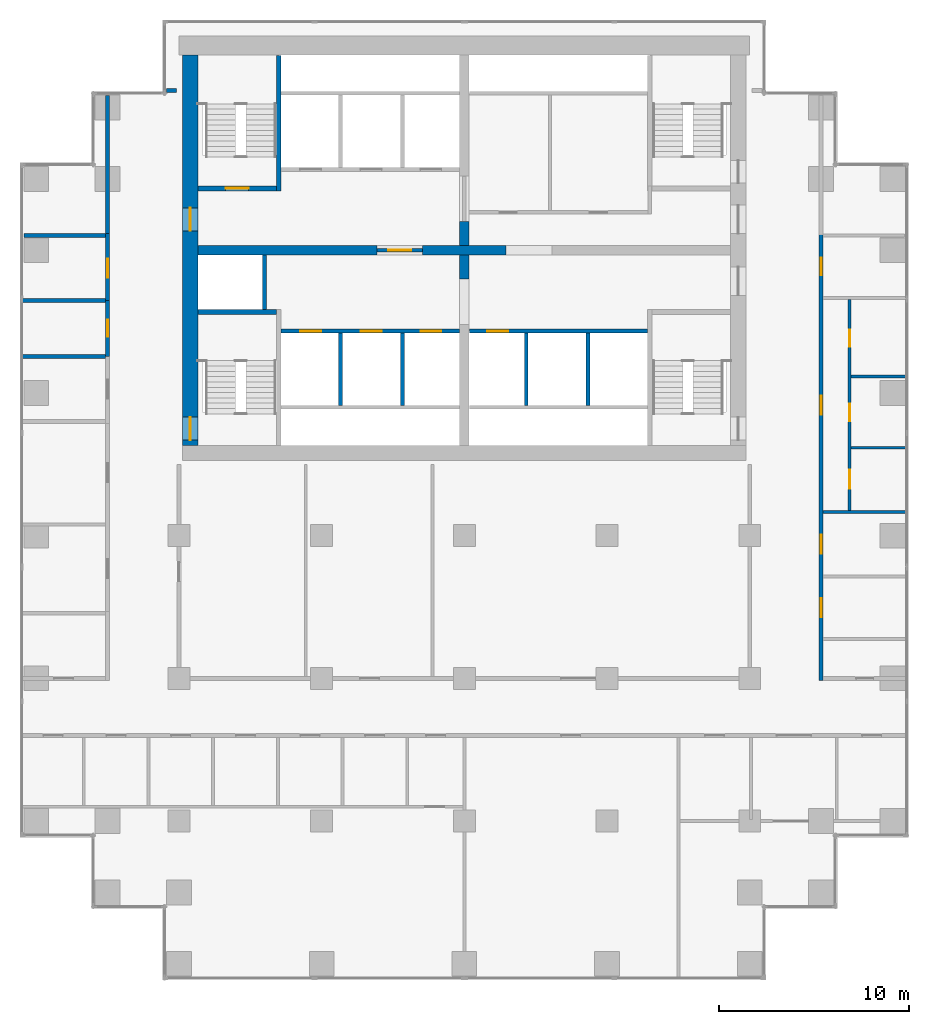
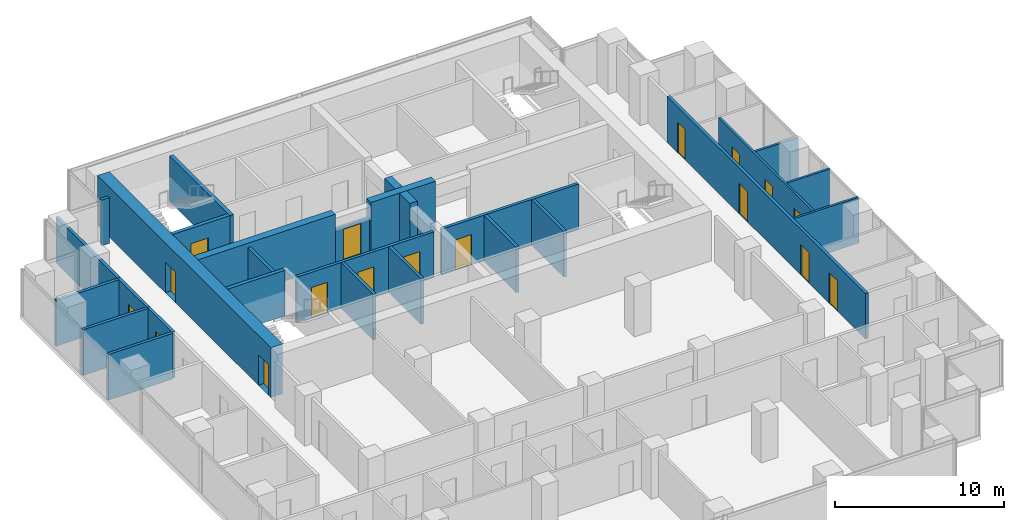
# One storey, part 8 of 11: 28 walls, 17 doors, 17 openings.
"""IFC4 building model written with IfcOpenShell, lengths in metres."""

from ifc_helpers import new_model, si_unit, direction, frame, frame_2d, origin, place, context, subcontext, project, spatial, rectangle, extrude, material, layer, layer_set, type_object, element, fill, save


model = new_model("IFC4")

# Units and contexts
model_context = context("Model", 3, precision=1e-05, world=origin(), true_north=direction((0.0, 1.0)))
body_context = subcontext(model_context, "Body", "Model", "MODEL_VIEW")
ifc_project = project(units=[si_unit("LENGTHUNIT", "METRE"), si_unit("AREAUNIT", "SQUARE_METRE"), si_unit("VOLUMEUNIT", "CUBIC_METRE"), si_unit("PLANEANGLEUNIT", "RADIAN"), si_unit("MASSUNIT", "GRAM", prefix="KILO")], contexts=[model_context])

# Site, building, storey
site_placement = place(None, origin())
site = spatial("IfcSite", under=ifc_project, at=site_placement, CompositionType="ELEMENT")
building_placement = place(site_placement, origin())
building = spatial("IfcBuilding", under=site, at=building_placement, Name="Pilkhan Gate Tower", CompositionType="ELEMENT")
storey_placement = place(building_placement, frame((0.0, 0.0, 121.60009765625)))
storey = spatial("IfcBuildingStorey", under=building, at=storey_placement, Name="L30", CompositionType="ELEMENT", Elevation=121.60009765625)

# Wall, openings, doors
ifc_material_1 = material(Name="Concrete C60/75", Category="concrete")
ifc_layer_1 = layer(ifc_material_1, 0.800048828125)
ifc_layer_set_1 = layer_set([ifc_layer_1], Name="Core wall CW800 C60/75")
wall_type_1 = type_object("IfcWallType", Name="Core wall CW800 C60/75", PredefinedType="SHEAR", material=ifc_layer_set_1)
wall_1_placement = place(storey_placement, frame((60.60009765625, 92.75, 0.0), z_axis=(0.0, 0.0, 1.0), x_axis=(0.0, -1.0, 0.0)))
wall_1 = element("IfcWall", 1, at=wall_1_placement, inside=storey, type_object=wall_type_1, Name="Core wall W L30", PredefinedType="SHEAR", context=body_context, shape_type="SweptSolid", body=[
    extrude(rectangle(XDim=20.5, YDim=0.800048828125, at=frame_2d((10.25, 0.0))), origin(), (0.0, 0.0, 1.0), 3.599853515625),
])
opening_1_placement = place(wall_1_placement, frame((19.02490234375, 0.0, 0.0)))
opening_1 = element("IfcOpeningElement", 2, at=opening_1_placement, cuts=wall_1, Name="Opening L30-04", PredefinedType="OPENING", context=body_context, shape_type="SweptSolid", body=[
    extrude(rectangle(XDim=1.199951171875, YDim=2.199951171875, at=frame_2d((0.60009765625, 1.10009765625))), frame((0.0, 0.409912109375, 0.0), z_axis=(0.0, -1.0, 0.0), x_axis=(1.0, 0.0, 0.0)), (0.0, 0.0, 1.0), 0.820068359375),
])
opening_2_placement = place(wall_1_placement, frame((8.02490234375, 0.0, 0.0)))
opening_2 = element("IfcOpeningElement", 3, at=opening_2_placement, cuts=wall_1, Name="Opening L30-14", PredefinedType="OPENING", context=body_context, shape_type="SweptSolid", body=[
    extrude(rectangle(XDim=1.199951171875, YDim=2.199951171875, at=frame_2d((0.60009765625, 1.10009765625))), frame((0.0, 0.409912109375, 0.0), z_axis=(0.0, -1.0, 0.0), x_axis=(1.0, 0.0, 0.0)), (0.0, 0.0, 1.0), 0.820068359375),
])
ifc_material_2 = material(Name="Steel door, 120 minute fire resisting, self-closing", Category="steel")
door_type_1 = type_object("IfcDoorType", Name="Firefighting lobby door D10 1200x2200", OperationType="SINGLE_SWING_LEFT", PredefinedType="DOOR", material=ifc_material_2)
door_1_placement = place(opening_2_placement, origin())
door_1 = element("IfcDoor", 4, at=door_1_placement, inside=storey, type_object=door_type_1, Name="Core door", OperationType="SINGLE_SWING_RIGHT", OverallHeight=2.199951171875, OverallWidth=1.199951171875, PredefinedType="DOOR", context=body_context, shape_type="SweptSolid", body=[
    extrude(rectangle(XDim=1.199951171875, YDim=2.199951171875, at=frame_2d((0.60009765625, 1.10009765625))), frame((0.0, 0.02490234375, 0.0), z_axis=(0.0, -1.0, 0.0), x_axis=(1.0, 0.0, 0.0)), (0.0, 0.0, 1.0), 0.050048828125),
])
fill(opening_2, door_1)
ifc_material_3 = material(Name="Steel door, 120 minute fire resisting, panic bar", Category="steel")
door_type_2 = type_object("IfcDoorType", Name="Stair door D11 1200x2200", OperationType="SINGLE_SWING_LEFT", PredefinedType="DOOR", material=ifc_material_3)
door_2_placement = place(opening_1_placement, origin())
door_2 = element("IfcDoor", 5, at=door_2_placement, inside=storey, type_object=door_type_2, Name="Stair ST2 door", OperationType="SINGLE_SWING_RIGHT", OverallHeight=2.199951171875, OverallWidth=1.199951171875, PredefinedType="DOOR", context=body_context, shape_type="SweptSolid", body=[
    extrude(rectangle(XDim=1.199951171875, YDim=2.199951171875, at=frame_2d((0.60009765625, 1.10009765625))), frame((0.0, 0.02490234375, 0.0), z_axis=(0.0, -1.0, 0.0), x_axis=(1.0, 0.0, 0.0)), (0.0, 0.0, 1.0), 0.050048828125),
])
fill(opening_1, door_2)

# Wall
ifc_material_4 = material(Name="Dense blockwork", Category="masonry")
ifc_layer_2 = layer(ifc_material_4, 0.199951171875)
ifc_layer_set_2 = layer_set([ifc_layer_2], Name="Corridor wall FW200")
wall_type_2 = type_object("IfcWallType", Name="Corridor wall FW200", PredefinedType="PARTITIONING", material=ifc_layer_set_2)
wall_2_placement = place(storey_placement, frame((59.35498046875, 90.89990234375, 0.0), z_axis=(0.0, 0.0, 1.0), x_axis=(1.0, 0.0, 0.0)))
element("IfcWall", 6, at=wall_2_placement, inside=storey, type_object=wall_type_2, Name="Partition L30", PredefinedType="PARTITIONING", context=body_context, shape_type="SweptSolid", body=[
    extrude(rectangle(XDim=0.52490234375, YDim=0.199951171875, at=frame_2d((0.262451171875, 0.0))), origin(), (0.0, 0.0, 1.0), 3.2998046875),
])

# Wall, opening, door
wall_3_placement = place(storey_placement, frame((56.25, 76.910888671875, 0.0), z_axis=(0.0, 0.0, 1.0), x_axis=(0.0, 1.0, 0.0)))
wall_3 = element("IfcWall", 7, at=wall_3_placement, inside=storey, type_object=wall_type_2, Name="Partition L30", PredefinedType="PARTITIONING", context=body_context, shape_type="SweptSolid", body=[
    extrude(rectangle(XDim=2.951171875, YDim=0.199951171875, at=frame_2d((1.4755859375, 0.0))), origin(), (0.0, 0.0, 1.0), 3.2998046875),
])
opening_3_placement = place(wall_3_placement, frame((1.050048828125, 0.0, 0.0)))
opening_3 = element("IfcOpeningElement", 8, at=opening_3_placement, cuts=wall_3, Name="Opening L30-31", PredefinedType="OPENING", context=body_context, shape_type="SweptSolid", body=[
    extrude(rectangle(XDim=0.89990234375, YDim=2.199951171875, at=frame_2d((0.449951171875, 1.10009765625))), frame((0.0, 0.10986328125, 0.0), z_axis=(0.0, -1.0, 0.0), x_axis=(1.0, 0.0, 0.0)), (0.0, 0.0, 1.0), 0.219970703125),
])
ifc_material_5 = material(Name="Timber flush door, 60 minute fire resisting, self-closing", Category="wood")
door_type_3 = type_object("IfcDoorType", Name="Store door D05 900x2200", OperationType="SINGLE_SWING_LEFT", PredefinedType="DOOR", material=ifc_material_5)
door_3_placement = place(opening_3_placement, origin())
door_3 = element("IfcDoor", 9, at=door_3_placement, inside=storey, type_object=door_type_3, Name="Store door", OperationType="SINGLE_SWING_RIGHT", OverallHeight=2.199951171875, OverallWidth=0.89990234375, PredefinedType="DOOR", context=body_context, shape_type="SweptSolid", body=[
    extrude(rectangle(XDim=0.89990234375, YDim=2.199951171875, at=frame_2d((0.449951171875, 1.10009765625))), frame((0.0, 0.02490234375, 0.0), z_axis=(0.0, -1.0, 0.0), x_axis=(1.0, 0.0, 0.0)), (0.0, 0.0, 1.0), 0.050048828125),
])
fill(opening_3, door_3)

# Wall
wall_4_placement = place(storey_placement, frame((56.25, 83.31005859375, 0.0), z_axis=(0.0, 0.0, 1.0), x_axis=(0.0, 1.0, 0.0)))
element("IfcWall", 10, at=wall_4_placement, inside=storey, type_object=wall_type_2, Name="Partition L30", PredefinedType="PARTITIONING", context=body_context, shape_type="SweptSolid", body=[
    extrude(rectangle(XDim=7.3349609375, YDim=0.199951171875, at=frame_2d((3.66748046875, 0.0))), origin(), (0.0, 0.0, 1.0), 3.2998046875),
])

# Wall, openings, doors
wall_5_placement = place(storey_placement, frame((93.75, 59.89990234375, 0.0), z_axis=(0.0, 0.0, 1.0), x_axis=(0.0, 1.0, 0.0)))
wall_5 = element("IfcWall", 11, at=wall_5_placement, inside=storey, type_object=wall_type_2, Name="Partition L30", PredefinedType="PARTITIONING", context=body_context, shape_type="SweptSolid", body=[
    extrude(rectangle(XDim=23.455078125, YDim=0.199951171875, at=frame_2d((11.7275390625, 0.0))), origin(), (0.0, 0.0, 1.0), 3.2998046875),
])
opening_4_placement = place(wall_5_placement, frame((13.949951171875, 0.0, 0.0)))
opening_4 = element("IfcOpeningElement", 12, at=opening_4_placement, cuts=wall_5, Name="Opening L30-11", PredefinedType="OPENING", context=body_context, shape_type="SweptSolid", body=[
    extrude(rectangle(XDim=1.0, YDim=2.199951171875, at=frame_2d((0.5, 1.10009765625))), frame((0.0, 0.10986328125, 0.0), z_axis=(0.0, -1.0, 0.0), x_axis=(1.0, 0.0, 0.0)), (0.0, 0.0, 1.0), 0.219970703125),
])
opening_5_placement = place(wall_5_placement, frame((6.64599609375, 0.0, 0.0)))
opening_5 = element("IfcOpeningElement", 13, at=opening_5_placement, cuts=wall_5, Name="Opening L30-12", PredefinedType="OPENING", context=body_context, shape_type="SweptSolid", body=[
    extrude(rectangle(XDim=1.0, YDim=2.199951171875, at=frame_2d((0.5, 1.10009765625))), frame((0.0, 0.10986328125, 0.0), z_axis=(0.0, -1.0, 0.0), x_axis=(1.0, 0.0, 0.0)), (0.0, 0.0, 1.0), 0.219970703125),
])
opening_6_placement = place(wall_5_placement, frame((3.318115234375, 0.0, 0.0)))
opening_6 = element("IfcOpeningElement", 14, at=opening_6_placement, cuts=wall_5, Name="Opening L30-36", PredefinedType="OPENING", context=body_context, shape_type="SweptSolid", body=[
    extrude(rectangle(XDim=1.0, YDim=2.199951171875, at=frame_2d((0.5, 1.10009765625))), frame((0.0, 0.10986328125, 0.0), z_axis=(0.0, -1.0, 0.0), x_axis=(1.0, 0.0, 0.0)), (0.0, 0.0, 1.0), 0.219970703125),
])
opening_7_placement = place(wall_5_placement, frame((21.300048828125, 0.0, 0.0)))
opening_7 = element("IfcOpeningElement", 15, at=opening_7_placement, cuts=wall_5, Name="Opening L30-37", PredefinedType="OPENING", context=body_context, shape_type="SweptSolid", body=[
    extrude(rectangle(XDim=0.89990234375, YDim=2.199951171875, at=frame_2d((0.449951171875, 1.10009765625))), frame((0.0, 0.10986328125, 0.0), z_axis=(0.0, -1.0, 0.0), x_axis=(1.0, 0.0, 0.0)), (0.0, 0.0, 1.0), 0.219970703125),
])
ifc_material_6 = material(Name="Timber flush door, 30 minute fire resisting", Category="wood")
door_type_4 = type_object("IfcDoorType", Name="Room door D03 1000x2200", OperationType="SINGLE_SWING_LEFT", PredefinedType="DOOR", material=ifc_material_6)
door_4_placement = place(opening_4_placement, origin())
door_4 = element("IfcDoor", 16, at=door_4_placement, inside=storey, type_object=door_type_4, Name="Toilet lobby door", OperationType="SINGLE_SWING_RIGHT", OverallHeight=2.199951171875, OverallWidth=1.0, PredefinedType="DOOR", context=body_context, shape_type="SweptSolid", body=[
    extrude(rectangle(XDim=1.0, YDim=2.199951171875, at=frame_2d((0.5, 1.10009765625))), frame((0.0, 0.02490234375, 0.0), z_axis=(0.0, -1.0, 0.0), x_axis=(1.0, 0.0, 0.0)), (0.0, 0.0, 1.0), 0.050048828125),
])
fill(opening_4, door_4)
door_5_placement = place(opening_5_placement, origin())
door_5 = element("IfcDoor", 17, at=door_5_placement, inside=storey, type_object=door_type_4, Name="Room door", OperationType="SINGLE_SWING_LEFT", OverallHeight=2.199951171875, OverallWidth=1.0, PredefinedType="DOOR", context=body_context, shape_type="SweptSolid", body=[
    extrude(rectangle(XDim=1.0, YDim=2.199951171875, at=frame_2d((0.5, 1.10009765625))), frame((0.0, 0.02490234375, 0.0), z_axis=(0.0, -1.0, 0.0), x_axis=(1.0, 0.0, 0.0)), (0.0, 0.0, 1.0), 0.050048828125),
])
fill(opening_5, door_5)
door_6_placement = place(opening_6_placement, origin())
door_6 = element("IfcDoor", 18, at=door_6_placement, inside=storey, type_object=door_type_4, Name="Room door", OperationType="SINGLE_SWING_RIGHT", OverallHeight=2.199951171875, OverallWidth=1.0, PredefinedType="DOOR", context=body_context, shape_type="SweptSolid", body=[
    extrude(rectangle(XDim=1.0, YDim=2.199951171875, at=frame_2d((0.5, 1.10009765625))), frame((0.0, 0.02490234375, 0.0), z_axis=(0.0, -1.0, 0.0), x_axis=(1.0, 0.0, 0.0)), (0.0, 0.0, 1.0), 0.050048828125),
])
fill(opening_6, door_6)
door_7_placement = place(opening_7_placement, origin())
door_7 = element("IfcDoor", 19, at=door_7_placement, inside=storey, type_object=door_type_3, Name="Store door", OperationType="SINGLE_SWING_LEFT", OverallHeight=2.199951171875, OverallWidth=0.89990234375, PredefinedType="DOOR", context=body_context, shape_type="SweptSolid", body=[
    extrude(rectangle(XDim=0.89990234375, YDim=2.199951171875, at=frame_2d((0.449951171875, 1.10009765625))), frame((0.0, 0.02490234375, 0.0), z_axis=(0.0, -1.0, 0.0), x_axis=(1.0, 0.0, 0.0)), (0.0, 0.0, 1.0), 0.050048828125),
])
fill(opening_7, door_7)

# Walls
ifc_layer_3 = layer(ifc_material_4, 0.199951171875)
ifc_layer_set_3 = layer_set([ifc_layer_3], Name="Lobby wall LW200")
wall_type_3 = type_object("IfcWallType", Name="Lobby wall LW200", PredefinedType="PARTITIONING", material=ifc_layer_set_3)
for number, where, z_axis, x_axis, name in (
    (20, (51.735107421875, 76.910888671875, 0.0), (0.0, 0.0, 1.0), (1.0, 0.0, 0.0), "Partition L30"),
    (21, (51.735107421875, 79.862060546875, 0.0), (0.0, 0.0, 1.0), (1.0, 0.0, 0.0), "Partition L30"),
):
    element("IfcWall", number, at=place(storey_placement, frame(where, z_axis=z_axis, x_axis=x_axis)), inside=storey, type_object=wall_type_3, Name=name, PredefinedType="PARTITIONING", context=body_context, shape_type="SweptSolid", body=[
        extrude(rectangle(XDim=4.414794921875, YDim=0.199951171875, at=frame_2d((2.20751953125, 0.0))), origin(), (0.0, 0.0, 1.0), 3.2998046875),
    ])

# Wall, opening, door
wall_6_placement = place(storey_placement, frame((70.409912109375, 82.5, 0.0), z_axis=(0.0, 0.0, 1.0), x_axis=(1.0, 0.0, 0.0)))
wall_6 = element("IfcWall", 22, at=wall_6_placement, inside=storey, type_object=wall_type_3, Name="Partition L30", PredefinedType="PARTITIONING", context=body_context, shape_type="SweptSolid", body=[
    extrude(rectangle(XDim=2.380126953125, YDim=0.199951171875, at=frame_2d((1.18994140625, 0.0))), origin(), (0.0, 0.0, 1.0), 2.39990234375),
])
opening_8_placement = place(wall_6_placement, frame((0.60009765625, 0.0, 0.0)))
opening_8 = element("IfcOpeningElement", 23, at=opening_8_placement, cuts=wall_6, Name="Opening L30-01", PredefinedType="OPENING", context=body_context, shape_type="SweptSolid", body=[
    extrude(rectangle(XDim=1.199951171875, YDim=2.199951171875, at=frame_2d((0.60009765625, 1.10009765625))), frame((0.0, 0.10986328125, 0.0), z_axis=(0.0, -1.0, 0.0), x_axis=(1.0, 0.0, 0.0)), (0.0, 0.0, 1.0), 0.219970703125),
])
door_8_placement = place(opening_8_placement, origin())
door_8 = element("IfcDoor", 24, at=door_8_placement, inside=storey, type_object=door_type_1, Name="Firefighting lobby door", OperationType="SINGLE_SWING_LEFT", OverallHeight=2.199951171875, OverallWidth=1.199951171875, PredefinedType="DOOR", context=body_context, shape_type="SweptSolid", body=[
    extrude(rectangle(XDim=1.199951171875, YDim=2.199951171875, at=frame_2d((0.60009765625, 1.10009765625))), frame((0.0, 0.02490234375, 0.0), z_axis=(0.0, -1.0, 0.0), x_axis=(1.0, 0.0, 0.0)), (0.0, 0.0, 1.0), 0.050048828125),
])
fill(opening_8, door_8)

# Wall
wall_7_placement = place(storey_placement, frame((51.85498046875, 83.280029296875, 0.0), z_axis=(0.0, 0.0, 1.0), x_axis=(1.0, 0.0, 0.0)))
element("IfcWall", 25, at=wall_7_placement, inside=storey, type_object=wall_type_3, Name="Partition L30", PredefinedType="PARTITIONING", context=body_context, shape_type="SweptSolid", body=[
    extrude(rectangle(XDim=4.294921875, YDim=0.199951171875, at=frame_2d((2.1474609375, 0.0))), origin(), (0.0, 0.0, 1.0), 3.2998046875),
])

# Wall, opening, door
wall_8_placement = place(storey_placement, frame((56.25, 79.761962890625, 0.0), z_axis=(0.0, 0.0, 1.0), x_axis=(0.0, 1.0, 0.0)))
wall_8 = element("IfcWall", 26, at=wall_8_placement, inside=storey, type_object=wall_type_3, Name="Partition L30", PredefinedType="PARTITIONING", context=body_context, shape_type="SweptSolid", body=[
    extrude(rectangle(XDim=3.617919921875, YDim=0.199951171875, at=frame_2d((1.80908203125, 0.0))), origin(), (0.0, 0.0, 1.0), 3.2998046875),
])
opening_9_placement = place(wall_8_placement, frame((1.300048828125, 0.0, 0.0)))
opening_9 = element("IfcOpeningElement", 27, at=opening_9_placement, cuts=wall_8, Name="Opening L30-10", PredefinedType="OPENING", context=body_context, shape_type="SweptSolid", body=[
    extrude(rectangle(XDim=1.0, YDim=2.199951171875, at=frame_2d((0.5, 1.10009765625))), frame((0.0, 0.10986328125, 0.0), z_axis=(0.0, -1.0, 0.0), x_axis=(1.0, 0.0, 0.0)), (0.0, 0.0, 1.0), 0.219970703125),
])
door_9_placement = place(opening_9_placement, origin())
door_9 = element("IfcDoor", 28, at=door_9_placement, inside=storey, type_object=door_type_4, Name="Room door", OperationType="SINGLE_SWING_LEFT", OverallHeight=2.199951171875, OverallWidth=1.0, PredefinedType="DOOR", context=body_context, shape_type="SweptSolid", body=[
    extrude(rectangle(XDim=1.0, YDim=2.199951171875, at=frame_2d((0.5, 1.10009765625))), frame((0.0, 0.02490234375, 0.0), z_axis=(0.0, -1.0, 0.0), x_axis=(1.0, 0.0, 0.0)), (0.0, 0.0, 1.0), 0.050048828125),
])
fill(opening_9, door_9)

# Walls
ifc_material_7 = material(Name="Blockwork partition, plastered both sides", Category="masonry")
ifc_layer_4 = layer(ifc_material_7, 0.14990234375)
ifc_layer_set_4 = layer_set([ifc_layer_4], Name="Partition PW150")
wall_type_4 = type_object("IfcWallType", Name="Partition PW150", PredefinedType="PARTITIONING", material=ifc_layer_set_4)
wall_9_placement = place(storey_placement, frame((93.85009765625, 68.75, 0.0), z_axis=(0.0, 0.0, 1.0), x_axis=(1.0, 0.0, 0.0)))
element("IfcWall", 29, at=wall_9_placement, inside=storey, type_object=wall_type_4, Name="Partition L30", PredefinedType="PARTITIONING", context=body_context, shape_type="SweptSolid", body=[
    extrude(rectangle(XDim=4.414794921875, YDim=0.14990234375, at=frame_2d((2.20751953125, 0.0))), origin(), (0.0, 0.0, 1.0), 3.2998046875),
])
for number, where, z_axis, x_axis, name in (
    (30, (95.324951171875, 72.125, 0.0), (0.0, 0.0, 1.0), (1.0, 0.0, 0.0), "Partition L30"),
    (31, (95.324951171875, 75.875, 0.0), (0.0, 0.0, 1.0), (1.0, 0.0, 0.0), "Partition L30"),
):
    element("IfcWall", number, at=place(storey_placement, frame(where, z_axis=z_axis, x_axis=x_axis)), inside=storey, type_object=wall_type_4, Name=name, PredefinedType="PARTITIONING", context=body_context, shape_type="SweptSolid", body=[
        extrude(rectangle(XDim=2.93994140625, YDim=0.14990234375, at=frame_2d((1.469970703125, 0.0))), origin(), (0.0, 0.0, 1.0), 3.2998046875),
    ])

# Wall, openings, doors
wall_10_placement = place(storey_placement, frame((95.25, 68.824951171875, 0.0), z_axis=(0.0, 0.0, 1.0), x_axis=(0.0, 1.0, 0.0)))
wall_10 = element("IfcWall", 32, at=wall_10_placement, inside=storey, type_object=wall_type_4, Name="Partition L30", PredefinedType="PARTITIONING", context=body_context, shape_type="SweptSolid", body=[
    extrude(rectangle(XDim=11.10009765625, YDim=0.14990234375, at=frame_2d((5.550048828125, 0.0))), origin(), (0.0, 0.0, 1.0), 3.2998046875),
])
opening_10_placement = place(wall_10_placement, frame((1.14990234375, 0.0, 0.0)))
opening_10 = element("IfcOpeningElement", 33, at=opening_10_placement, cuts=wall_10, Name="Opening L30-32", PredefinedType="OPENING", context=body_context, shape_type="SweptSolid", body=[
    extrude(rectangle(XDim=1.0, YDim=2.199951171875, at=frame_2d((0.5, 1.10009765625))), frame((0.0, 0.0849609375, 0.0), z_axis=(0.0, -1.0, 0.0), x_axis=(1.0, 0.0, 0.0)), (0.0, 0.0, 1.0), 0.169921875),
])
opening_11_placement = place(wall_10_placement, frame((4.699951171875, 0.0, 0.0)))
opening_11 = element("IfcOpeningElement", 34, at=opening_11_placement, cuts=wall_10, Name="Opening L30-33", PredefinedType="OPENING", context=body_context, shape_type="SweptSolid", body=[
    extrude(rectangle(XDim=0.89990234375, YDim=2.199951171875, at=frame_2d((0.449951171875, 1.10009765625))), frame((0.0, 0.0849609375, 0.0), z_axis=(0.0, -1.0, 0.0), x_axis=(1.0, 0.0, 0.0)), (0.0, 0.0, 1.0), 0.169921875),
])
opening_12_placement = place(wall_10_placement, frame((8.60009765625, 0.0, 0.0)))
opening_12 = element("IfcOpeningElement", 35, at=opening_12_placement, cuts=wall_10, Name="Opening L30-34", PredefinedType="OPENING", context=body_context, shape_type="SweptSolid", body=[
    extrude(rectangle(XDim=0.89990234375, YDim=2.199951171875, at=frame_2d((0.449951171875, 1.10009765625))), frame((0.0, 0.0849609375, 0.0), z_axis=(0.0, -1.0, 0.0), x_axis=(1.0, 0.0, 0.0)), (0.0, 0.0, 1.0), 0.169921875),
])
ifc_material_8 = material(Name="Timber flush door, outward opening, 30 minute fire resisting", Category="wood")
door_type_5 = type_object("IfcDoorType", Name="Accessible toilet door D07 1000x2200", OperationType="SINGLE_SWING_LEFT", PredefinedType="DOOR", material=ifc_material_8)
door_10_placement = place(opening_10_placement, origin())
door_10 = element("IfcDoor", 36, at=door_10_placement, inside=storey, type_object=door_type_5, Name="Accessible toilet door", OperationType="SINGLE_SWING_RIGHT", OverallHeight=2.199951171875, OverallWidth=1.0, PredefinedType="DOOR", context=body_context, shape_type="SweptSolid", body=[
    extrude(rectangle(XDim=1.0, YDim=2.199951171875, at=frame_2d((0.5, 1.10009765625))), frame((0.0, 0.02490234375, 0.0), z_axis=(0.0, -1.0, 0.0), x_axis=(1.0, 0.0, 0.0)), (0.0, 0.0, 1.0), 0.050048828125),
])
fill(opening_10, door_10)
door_type_6 = type_object("IfcDoorType", Name="Toilet door D06 900x2200", OperationType="SINGLE_SWING_LEFT", PredefinedType="DOOR", material=ifc_material_6)
door_11_placement = place(opening_11_placement, origin())
door_11 = element("IfcDoor", 37, at=door_11_placement, inside=storey, type_object=door_type_6, Name="Toilet door", OperationType="SINGLE_SWING_LEFT", OverallHeight=2.199951171875, OverallWidth=0.89990234375, PredefinedType="DOOR", context=body_context, shape_type="SweptSolid", body=[
    extrude(rectangle(XDim=0.89990234375, YDim=2.199951171875, at=frame_2d((0.449951171875, 1.10009765625))), frame((0.0, 0.02490234375, 0.0), z_axis=(0.0, -1.0, 0.0), x_axis=(1.0, 0.0, 0.0)), (0.0, 0.0, 1.0), 0.050048828125),
])
fill(opening_11, door_11)
door_12_placement = place(opening_12_placement, origin())
door_12 = element("IfcDoor", 38, at=door_12_placement, inside=storey, type_object=door_type_6, Name="Toilet door", OperationType="SINGLE_SWING_LEFT", OverallHeight=2.199951171875, OverallWidth=0.89990234375, PredefinedType="DOOR", context=body_context, shape_type="SweptSolid", body=[
    extrude(rectangle(XDim=0.89990234375, YDim=2.199951171875, at=frame_2d((0.449951171875, 1.10009765625))), frame((0.0, 0.02490234375, 0.0), z_axis=(0.0, -1.0, 0.0), x_axis=(1.0, 0.0, 0.0)), (0.0, 0.0, 1.0), 0.050048828125),
])
fill(opening_12, door_12)

ifc_material_9 = material(Name="Reinforced blockwork shaft wall, 120 minute fire resisting", Category="masonry")
ifc_layer_5 = layer(ifc_material_9, 0.199951171875)
ifc_layer_set_5 = layer_set([ifc_layer_5], Name="Shaft wall SW200")
wall_type_5 = type_object("IfcWallType", Name="Shaft wall SW200", PredefinedType="PARTITIONING", material=ifc_layer_set_5)
wall_11_placement = place(storey_placement, frame((65.375, 78.25, 0.0), z_axis=(0.0, 0.0, 1.0), x_axis=(1.0, 0.0, 0.0)))
wall_11 = element("IfcWall", 39, at=wall_11_placement, inside=storey, type_object=wall_type_5, Name="Partition L30", PredefinedType="PARTITIONING", context=body_context, shape_type="SweptSolid", body=[
    extrude(rectangle(XDim=9.364990234375, YDim=0.199951171875, at=frame_2d((4.6826171875, 0.0))), origin(), (0.0, 0.0, 1.0), 3.2998046875),
])
opening_13_placement = place(wall_11_placement, frame((1.0, 0.0, 0.0)))
opening_13 = element("IfcOpeningElement", 40, at=opening_13_placement, cuts=wall_11, Name="Opening LD", PredefinedType="OPENING", context=body_context, shape_type="SweptSolid", body=[
    extrude(rectangle(XDim=1.10009765625, YDim=2.199951171875, at=frame_2d((0.550048828125, 1.10009765625))), frame((0.0, 0.10986328125, 0.0), z_axis=(0.0, -1.0, 0.0), x_axis=(1.0, 0.0, 0.0)), (0.0, 0.0, 1.0), 0.219970703125),
])
opening_14_placement = place(wall_11_placement, frame((4.175048828125, 0.0, 0.0)))
opening_14 = element("IfcOpeningElement", 41, at=opening_14_placement, cuts=wall_11, Name="Opening LD", PredefinedType="OPENING", context=body_context, shape_type="SweptSolid", body=[
    extrude(rectangle(XDim=1.10009765625, YDim=2.199951171875, at=frame_2d((0.550048828125, 1.10009765625))), frame((0.0, 0.10986328125, 0.0), z_axis=(0.0, -1.0, 0.0), x_axis=(1.0, 0.0, 0.0)), (0.0, 0.0, 1.0), 0.219970703125),
])
opening_15_placement = place(wall_11_placement, frame((7.324951171875, 0.0, 0.0)))
opening_15 = element("IfcOpeningElement", 42, at=opening_15_placement, cuts=wall_11, Name="Opening LD", PredefinedType="OPENING", context=body_context, shape_type="SweptSolid", body=[
    extrude(rectangle(XDim=1.10009765625, YDim=2.199951171875, at=frame_2d((0.550048828125, 1.10009765625))), frame((0.0, 0.10986328125, 0.0), z_axis=(0.0, -1.0, 0.0), x_axis=(1.0, 0.0, 0.0)), (0.0, 0.0, 1.0), 0.219970703125),
])
ifc_material_10 = material(Name="Stainless steel centre-opening landing door, 120 minute fire resisting", Category="steel")
door_type_7 = type_object("IfcDoorType", Name="Lift landing door LD 1100x2200", OperationType="DOUBLE_DOOR_SLIDING", PredefinedType="DOOR", material=ifc_material_10)
door_13_placement = place(opening_13_placement, origin())
door_13 = element("IfcDoor", 43, at=door_13_placement, inside=storey, type_object=door_type_7, Name="Landing door LR1", OperationType="DOUBLE_DOOR_SLIDING", OverallHeight=2.199951171875, OverallWidth=1.10009765625, PredefinedType="DOOR", context=body_context, shape_type="SweptSolid", body=[
    extrude(rectangle(XDim=1.10009765625, YDim=2.199951171875, at=frame_2d((0.550048828125, 1.10009765625))), frame((0.0, 0.02490234375, 0.0), z_axis=(0.0, -1.0, 0.0), x_axis=(1.0, 0.0, 0.0)), (0.0, 0.0, 1.0), 0.050048828125),
])
fill(opening_13, door_13)
door_14_placement = place(opening_14_placement, origin())
door_14 = element("IfcDoor", 44, at=door_14_placement, inside=storey, type_object=door_type_7, Name="Landing door LR2", OperationType="DOUBLE_DOOR_SLIDING", OverallHeight=2.199951171875, OverallWidth=1.10009765625, PredefinedType="DOOR", context=body_context, shape_type="SweptSolid", body=[
    extrude(rectangle(XDim=1.10009765625, YDim=2.199951171875, at=frame_2d((0.550048828125, 1.10009765625))), frame((0.0, 0.02490234375, 0.0), z_axis=(0.0, -1.0, 0.0), x_axis=(1.0, 0.0, 0.0)), (0.0, 0.0, 1.0), 0.050048828125),
])
fill(opening_14, door_14)
door_15_placement = place(opening_15_placement, origin())
door_15 = element("IfcDoor", 45, at=door_15_placement, inside=storey, type_object=door_type_7, Name="Landing door LR3", OperationType="DOUBLE_DOOR_SLIDING", OverallHeight=2.199951171875, OverallWidth=1.10009765625, PredefinedType="DOOR", context=body_context, shape_type="SweptSolid", body=[
    extrude(rectangle(XDim=1.10009765625, YDim=2.199951171875, at=frame_2d((0.550048828125, 1.10009765625))), frame((0.0, 0.02490234375, 0.0), z_axis=(0.0, -1.0, 0.0), x_axis=(1.0, 0.0, 0.0)), (0.0, 0.0, 1.0), 0.050048828125),
])
fill(opening_15, door_15)

# Wall, opening, door
wall_12_placement = place(storey_placement, frame((75.260009765625, 78.25, 0.0), z_axis=(0.0, 0.0, 1.0), x_axis=(1.0, 0.0, 0.0)))
wall_12 = element("IfcWall", 46, at=wall_12_placement, inside=storey, type_object=wall_type_5, Name="Partition L30", PredefinedType="PARTITIONING", context=body_context, shape_type="SweptSolid", body=[
    extrude(rectangle(XDim=9.364990234375, YDim=0.199951171875, at=frame_2d((4.6826171875, 0.0))), origin(), (0.0, 0.0, 1.0), 3.2998046875),
])
opening_16_placement = place(wall_12_placement, frame((0.949951171875, 0.0, 0.0)))
opening_16 = element("IfcOpeningElement", 47, at=opening_16_placement, cuts=wall_12, Name="Opening LD", PredefinedType="OPENING", context=body_context, shape_type="SweptSolid", body=[
    extrude(rectangle(XDim=1.10009765625, YDim=2.199951171875, at=frame_2d((0.550048828125, 1.10009765625))), frame((0.0, 0.10986328125, 0.0), z_axis=(0.0, -1.0, 0.0), x_axis=(1.0, 0.0, 0.0)), (0.0, 0.0, 1.0), 0.219970703125),
])
door_16_placement = place(opening_16_placement, origin())
door_16 = element("IfcDoor", 48, at=door_16_placement, inside=storey, type_object=door_type_7, Name="Landing door LR4", OperationType="DOUBLE_DOOR_SLIDING", OverallHeight=2.199951171875, OverallWidth=1.10009765625, PredefinedType="DOOR", context=body_context, shape_type="SweptSolid", body=[
    extrude(rectangle(XDim=1.10009765625, YDim=2.199951171875, at=frame_2d((0.550048828125, 1.10009765625))), frame((0.0, 0.02490234375, 0.0), z_axis=(0.0, -1.0, 0.0), x_axis=(1.0, 0.0, 0.0)), (0.0, 0.0, 1.0), 0.050048828125),
])
fill(opening_16, door_16)

# Walls
wall_13_placement = place(storey_placement, frame((64.5, 79.375, 0.0), z_axis=(0.0, 0.0, 1.0), x_axis=(0.0, 1.0, 0.0)))
element("IfcWall", 49, at=wall_13_placement, inside=storey, type_object=wall_type_5, Name="Partition L30", PredefinedType="PARTITIONING", context=body_context, shape_type="SweptSolid", body=[
    extrude(rectangle(XDim=2.864990234375, YDim=0.199951171875, at=frame_2d((1.4326171875, 0.0))), origin(), (0.0, 0.0, 1.0), 3.2998046875),
])
for number, where, z_axis, x_axis, name in (
    (50, (68.5, 74.35009765625, 0.0), (0.0, 0.0, 1.0), (0.0, 1.0, 0.0), "Partition L30"),
    (51, (71.75, 74.35009765625, 0.0), (0.0, 0.0, 1.0), (0.0, 1.0, 0.0), "Partition L30"),
    (52, (78.25, 74.35009765625, 0.0), (0.0, 0.0, 1.0), (0.0, 1.0, 0.0), "Partition L30"),
    (53, (81.5, 74.35009765625, 0.0), (0.0, 0.0, 1.0), (0.0, 1.0, 0.0), "Partition L30"),
):
    element("IfcWall", number, at=place(storey_placement, frame(where, z_axis=z_axis, x_axis=x_axis)), inside=storey, type_object=wall_type_5, Name=name, PredefinedType="PARTITIONING", context=body_context, shape_type="SweptSolid", body=[
        extrude(rectangle(XDim=3.7998046875, YDim=0.199951171875, at=frame_2d((1.89990234375, 0.0))), origin(), (0.0, 0.0, 1.0), 3.2998046875),
    ])
ifc_layer_6 = layer(ifc_material_1, 0.5)
ifc_layer_set_6 = layer_set([ifc_layer_6], Name="Spine wall SW500 C60/75")
wall_type_6 = type_object("IfcWallType", Name="Spine wall SW500 C60/75", PredefinedType="SHEAR", material=ifc_layer_set_6)
wall_14_placement = place(storey_placement, frame((61.0, 82.5, 0.0), z_axis=(0.0, 0.0, 1.0), x_axis=(1.0, 0.0, 0.0)))
element("IfcWall", 54, at=wall_14_placement, inside=storey, type_object=wall_type_6, Name="Spine wall SP-EW1 L30", PredefinedType="SHEAR", context=body_context, shape_type="SweptSolid", body=[
    extrude(rectangle(XDim=9.39990234375, YDim=0.5, at=frame_2d((4.699951171875, 0.0))), origin(), (0.0, 0.0, 1.0), 3.599853515625),
])
wall_15_placement = place(storey_placement, frame((72.800048828125, 82.5, 0.0), z_axis=(0.0, 0.0, 1.0), x_axis=(1.0, 0.0, 0.0)))
element("IfcWall", 55, at=wall_15_placement, inside=storey, type_object=wall_type_6, Name="Spine wall SP-EW2 L30", PredefinedType="SHEAR", context=body_context, shape_type="SweptSolid", body=[
    extrude(rectangle(XDim=4.39990234375, YDim=0.5, at=frame_2d((2.199951171875, 0.0))), origin(), (0.0, 0.0, 1.0), 3.599853515625),
])
for number, where, z_axis, x_axis, name in (
    (56, (75.0, 81.0, 0.0), (0.0, 0.0, 1.0), (0.0, 1.0, 0.0), "Spine wall SP-NS-S2 L30"),
    (57, (75.0, 82.75, 0.0), (0.0, 0.0, 1.0), (0.0, 1.0, 0.0), "Spine wall SP-NS-N1 L30"),
):
    element("IfcWall", number, at=place(storey_placement, frame(where, z_axis=z_axis, x_axis=x_axis)), inside=storey, type_object=wall_type_6, Name=name, PredefinedType="SHEAR", context=body_context, shape_type="SweptSolid", body=[
        extrude(rectangle(XDim=1.25, YDim=0.5, at=frame_2d((0.625, 0.0))), origin(), (0.0, 0.0, 1.0), 3.599853515625),
    ])
ifc_material_11 = material(Name="Reinforced blockwork, 120 minute fire resisting", Category="masonry")
ifc_layer_7 = layer(ifc_material_11, 0.25)
ifc_layer_set_7 = layer_set([ifc_layer_7], Name="Stair enclosure wall SE250")
wall_type_7 = type_object("IfcWallType", Name="Stair enclosure wall SE250", PredefinedType="PARTITIONING", material=ifc_layer_set_7)
wall_16_placement = place(storey_placement, frame((61.010009765625, 79.25, 0.0), z_axis=(0.0, 0.0, 1.0), x_axis=(1.0, 0.0, 0.0)))
element("IfcWall", 58, at=wall_16_placement, inside=storey, type_object=wall_type_7, Name="Partition L30", PredefinedType="PARTITIONING", context=body_context, shape_type="SweptSolid", body=[
    extrude(rectangle(XDim=4.114990234375, YDim=0.25, at=frame_2d((2.0576171875, 0.0))), origin(), (0.0, 0.0, 1.0), 3.2998046875),
])

# Wall, opening, door
wall_17_placement = place(storey_placement, frame((61.010009765625, 85.75, 0.0), z_axis=(0.0, 0.0, 1.0), x_axis=(1.0, 0.0, 0.0)))
wall_17 = element("IfcWall", 59, at=wall_17_placement, inside=storey, type_object=wall_type_7, Name="Partition L30", PredefinedType="PARTITIONING", context=body_context, shape_type="SweptSolid", body=[
    extrude(rectangle(XDim=4.114990234375, YDim=0.25, at=frame_2d((2.0576171875, 0.0))), origin(), (0.0, 0.0, 1.0), 3.2998046875),
])
opening_17_placement = place(wall_17_placement, frame((1.449951171875, 0.0, 0.0)))
opening_17 = element("IfcOpeningElement", 60, at=opening_17_placement, cuts=wall_17, Name="Opening L30-02", PredefinedType="OPENING", context=body_context, shape_type="SweptSolid", body=[
    extrude(rectangle(XDim=1.199951171875, YDim=2.199951171875, at=frame_2d((0.60009765625, 1.10009765625))), frame((0.0, 0.135009765625, 0.0), z_axis=(0.0, -1.0, 0.0), x_axis=(1.0, 0.0, 0.0)), (0.0, 0.0, 1.0), 0.27001953125),
])
door_17_placement = place(opening_17_placement, origin())
door_17 = element("IfcDoor", 61, at=door_17_placement, inside=storey, type_object=door_type_2, Name="Stair ST3 lobby door", OperationType="SINGLE_SWING_LEFT", OverallHeight=2.199951171875, OverallWidth=1.199951171875, PredefinedType="DOOR", context=body_context, shape_type="SweptSolid", body=[
    extrude(rectangle(XDim=1.199951171875, YDim=2.199951171875, at=frame_2d((0.60009765625, 1.10009765625))), frame((0.0, 0.02490234375, 0.0), z_axis=(0.0, -1.0, 0.0), x_axis=(1.0, 0.0, 0.0)), (0.0, 0.0, 1.0), 0.050048828125),
])
fill(opening_17, door_17)

# Wall
wall_18_placement = place(storey_placement, frame((65.25, 85.625, 0.0), z_axis=(0.0, 0.0, 1.0), x_axis=(0.0, 1.0, 0.0)))
element("IfcWall", 62, at=wall_18_placement, inside=storey, type_object=wall_type_7, Name="Partition L30", PredefinedType="PARTITIONING", context=body_context, shape_type="SweptSolid", body=[
    extrude(rectangle(XDim=7.114990234375, YDim=0.25, at=frame_2d((3.5576171875, 0.0))), origin(), (0.0, 0.0, 1.0), 3.2998046875),
])

save(model, "model.ifc")
